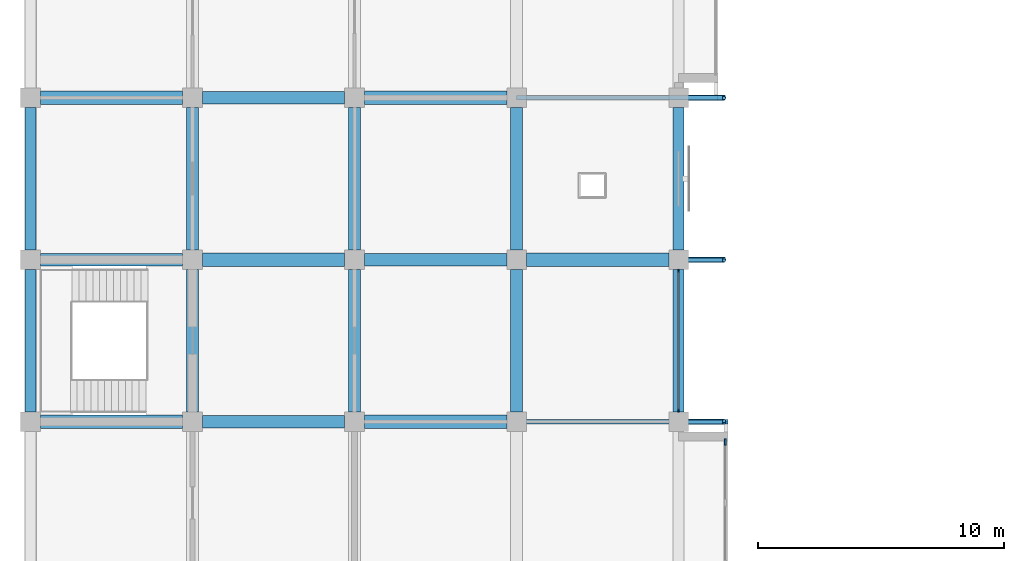
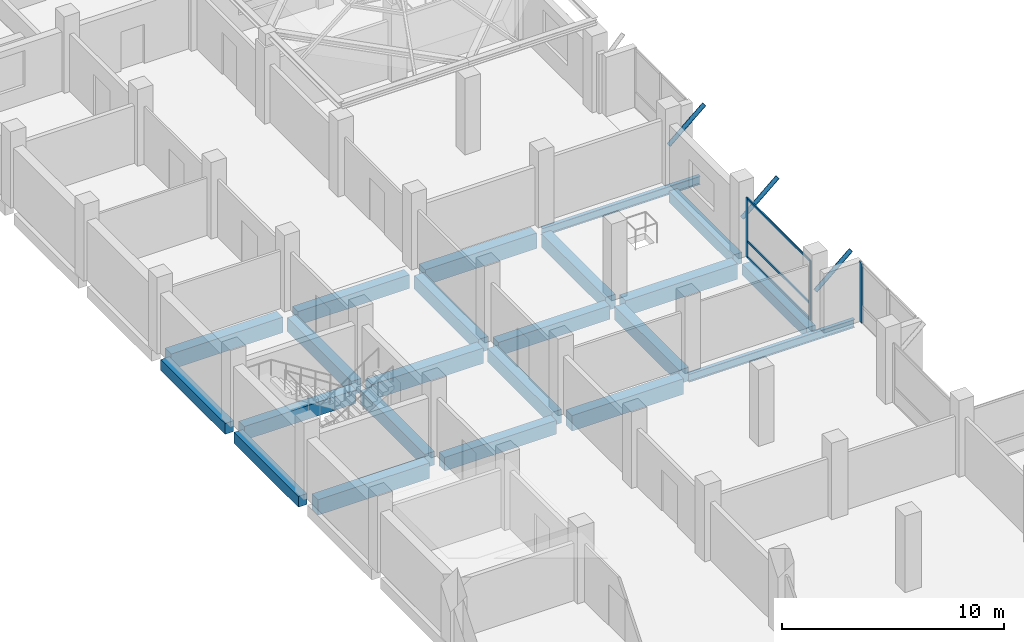
# One storey, part 9 of 25: 22 beams, 9 members, 2 elements without a shape of their own.
"""IFC4 building model written with IfcOpenShell, lengths in metres."""

from ifc_helpers import new_model, si_unit, direction, frame, origin, origin_2d, place, context, subcontext, project, spatial, rectangle, hollow_circle, i_section, extrude, material, material_profile, profile_set, type_object, element, aggregate, save


model = new_model("IFC4")

# Units and contexts
model_context = context("Model", 3, precision=1e-05, world=origin(), true_north=direction((0.0, 1.0)))
body_context = subcontext(model_context, "Body", "Model", "MODEL_VIEW")
ifc_project = project(units=[si_unit("LENGTHUNIT", "METRE"), si_unit("AREAUNIT", "SQUARE_METRE"), si_unit("VOLUMEUNIT", "CUBIC_METRE"), si_unit("PLANEANGLEUNIT", "RADIAN"), si_unit("MASSUNIT", "GRAM", prefix="KILO")], contexts=[model_context])

# Site, building, storey
site_placement = place(None, origin())
site = spatial("IfcSite", under=ifc_project, at=site_placement, CompositionType="ELEMENT")
building_placement = place(site_placement, origin())
building = spatial("IfcBuilding", under=site, at=building_placement, Name="Rusizi Kubbe Research Institute", CompositionType="ELEMENT")
storey_placement = place(building_placement, frame((0.0, 0.0, 14.39990234375)))
storey = spatial("IfcBuildingStorey", under=building, at=storey_placement, Name="L03", CompositionType="ELEMENT", Elevation=14.39990234375)

# Beams
ifc_material_1 = material(Name="Steel S355", Category="steel")
ifc_material_profile_1 = material_profile(ifc_material_1, i_section(OverallWidth=0.18994140625, OverallDepth=0.449951171875, WebThickness=0.009521484375, FlangeThickness=0.0146484375, at=origin_2d()), Name="IPE 450")
ifc_profile_set_1 = profile_set([ifc_material_profile_1], Name="Steel S355")
beam_type_1 = type_object("IfcBeamType", Name="BM-IPE450", PredefinedType="BEAM", material=ifc_profile_set_1)
beam_1_placement = place(storey_placement, frame((19.800048828125, 66.0, -0.574951171875), z_axis=(1.0, 0.0, 0.0), x_axis=(0.0, 1.0, 0.0)))
element("IfcBeam", 1, at=beam_1_placement, inside=storey, type_object=beam_type_1, Name="Cumba Back-Spanned Cantilever Beam L03-1N", PredefinedType="BEAM", context=body_context, shape_type="SweptSolid", body=[
    extrude(i_section(OverallWidth=0.18994140625, OverallDepth=0.449951171875, WebThickness=0.009521484375, FlangeThickness=0.0146484375, at=origin_2d()), origin(), (0.0, 0.0, 1.0), 8.599853515625),
])
beam_2_placement = place(storey_placement, frame((19.800048828125, 79.199951171875, -0.574951171875), z_axis=(1.0, 0.0, 0.0), x_axis=(0.0, 1.0, 0.0)))
element("IfcBeam", 2, at=beam_2_placement, inside=storey, type_object=beam_type_1, Name="Cumba Back-Spanned Cantilever Beam L03-2S", PredefinedType="BEAM", context=body_context, shape_type="SweptSolid", body=[
    extrude(i_section(OverallWidth=0.18994140625, OverallDepth=0.449951171875, WebThickness=0.009521484375, FlangeThickness=0.0146484375, at=origin_2d()), origin(), (0.0, 0.0, 1.0), 8.199951171875),
])
ifc_material_2 = material(Name="Concrete C40/50", Category="concrete")
ifc_material_profile_2 = material_profile(ifc_material_2, rectangle(XDim=0.449951171875, YDim=0.60009765625, at=origin_2d()), Name="RC450x600")
ifc_profile_set_2 = profile_set([ifc_material_profile_2], Name="Concrete C40/50")
beam_type_2 = type_object("IfcBeamType", Name="BM-RC450x600", PredefinedType="SPANDREL", material=ifc_profile_set_2)
for number, where, z_axis, x_axis, name in (
    (3, (0.0, 66.39990234375, -0.64990234375), (0.0, 1.0, 0.0), (-1.0, 0.0, 0.0), "Grid Beam V L03 (0,10)"),
    (4, (0.0, 73.0, -0.64990234375), (0.0, 1.0, 0.0), (-1.0, 0.0, 0.0), "Grid Beam V L03 (0,11)"),
    (5, (26.39990234375, 66.39990234375, -0.64990234375), (0.0, 1.0, 0.0), (-1.0, 0.0, 0.0), "Grid Beam V L03 (4,10)"),
    (6, (26.39990234375, 73.0, -0.64990234375), (0.0, 1.0, 0.0), (-1.0, 0.0, 0.0), "Grid Beam V L03 (4,11)"),
):
    element("IfcBeam", number, at=place(storey_placement, frame(where, z_axis=z_axis, x_axis=x_axis)), inside=storey, type_object=beam_type_2, Name=name, PredefinedType="SPANDREL", context=body_context, shape_type="SweptSolid", body=[
        extrude(rectangle(XDim=0.449951171875, YDim=0.60009765625, at=origin_2d()), origin(), (0.0, 0.0, 1.0), 5.800048828125),
    ])
ifc_material_3 = material(Name="Concrete C45/55", Category="concrete")
ifc_material_profile_3 = material_profile(ifc_material_3, rectangle(XDim=0.5, YDim=0.75, at=origin_2d()), Name="RC500x750B")
ifc_profile_set_3 = profile_set([ifc_material_profile_3], Name="Concrete C45/55")
beam_type_3 = type_object("IfcBeamType", Name="BM-RC500x750", PredefinedType="BEAM", material=ifc_profile_set_3)
for number, where, z_axis, x_axis, name in (
    (7, (0.39990234375, 72.60009765625, -0.724853515625), (1.0, 0.0, 0.0), (0.0, 1.0, 0.0), "Grid Beam H L03 (0,11)"),
    (8, (7.0, 66.0, -0.724853515625), (1.0, 0.0, 0.0), (0.0, 1.0, 0.0), "Grid Beam H L03 (1,10)"),
    (9, (7.0, 79.199951171875, -0.724853515625), (1.0, 0.0, 0.0), (0.0, 1.0, 0.0), "Grid Beam H L03 (1,12)"),
):
    element("IfcBeam", number, at=place(storey_placement, frame(where, z_axis=z_axis, x_axis=x_axis)), inside=storey, type_object=beam_type_3, Name=name, PredefinedType="BEAM", context=body_context, shape_type="SweptSolid", body=[
        extrude(rectangle(XDim=0.5, YDim=0.75, at=origin_2d()), origin(), (0.0, 0.0, 1.0), 5.800048828125),
    ])
beam_3_placement = place(storey_placement, frame((13.60009765625, 72.60009765625, -0.724853515625), z_axis=(1.0, 0.0, 0.0), x_axis=(0.0, 1.0, 0.0)))
element("IfcBeam", 10, at=beam_3_placement, inside=storey, type_object=beam_type_3, Name="Grid Beam H L03 (2,11)", PredefinedType="BEAM", context=body_context, shape_type="SweptSolid", body=[
    extrude(rectangle(XDim=0.5, YDim=0.75, at=origin_2d()), origin(), (0.0, 0.0, 1.0), 5.7998046875),
])
for number, where, z_axis, x_axis, name in (
    (11, (6.60009765625, 66.39990234375, -0.724853515625), (0.0, 1.0, 0.0), (-1.0, 0.0, 0.0), "Grid Beam V L03 (1,10)"),
    (12, (6.60009765625, 73.0, -0.724853515625), (0.0, 1.0, 0.0), (-1.0, 0.0, 0.0), "Grid Beam V L03 (1,11)"),
    (13, (13.199951171875, 66.39990234375, -0.724853515625), (0.0, 1.0, 0.0), (-1.0, 0.0, 0.0), "Grid Beam V L03 (2,10)"),
    (14, (13.199951171875, 73.0, -0.724853515625), (0.0, 1.0, 0.0), (-1.0, 0.0, 0.0), "Grid Beam V L03 (2,11)"),
    (15, (19.800048828125, 66.39990234375, -0.724853515625), (0.0, 1.0, 0.0), (-1.0, 0.0, 0.0), "Grid Beam V L03 (3,10)"),
    (16, (19.800048828125, 73.0, -0.724853515625), (0.0, 1.0, 0.0), (-1.0, 0.0, 0.0), "Grid Beam V L03 (3,11)"),
):
    element("IfcBeam", number, at=place(storey_placement, frame(where, z_axis=z_axis, x_axis=x_axis)), inside=storey, type_object=beam_type_3, Name=name, PredefinedType="BEAM", context=body_context, shape_type="SweptSolid", body=[
        extrude(rectangle(XDim=0.5, YDim=0.75, at=origin_2d()), origin(), (0.0, 0.0, 1.0), 5.800048828125),
    ])
ifc_material_4 = material(Name="Concrete C45/55", Category="concrete")
ifc_material_profile_4 = material_profile(ifc_material_4, rectangle(XDim=0.550048828125, YDim=0.85009765625, at=origin_2d()), Name="RC550x850")
ifc_profile_set_4 = profile_set([ifc_material_profile_4], Name="Concrete C45/55")
beam_type_4 = type_object("IfcBeamType", Name="BM-RC550x850", PredefinedType="BEAM", material=ifc_profile_set_4)
for number, where, z_axis, x_axis, name in (
    (17, (0.39990234375, 66.0, -0.77490234375), (1.0, 0.0, 0.0), (0.0, 1.0, 0.0), "Grid Beam H L03 (0,10)"),
    (18, (0.39990234375, 79.199951171875, -0.77490234375), (1.0, 0.0, 0.0), (0.0, 1.0, 0.0), "Grid Beam H L03 (0,12)"),
    (19, (7.0, 72.60009765625, -0.77490234375), (1.0, 0.0, 0.0), (0.0, 1.0, 0.0), "Grid Beam H L03 (1,11)"),
):
    element("IfcBeam", number, at=place(storey_placement, frame(where, z_axis=z_axis, x_axis=x_axis)), inside=storey, type_object=beam_type_4, Name=name, PredefinedType="BEAM", context=body_context, shape_type="SweptSolid", body=[
        extrude(rectangle(XDim=0.550048828125, YDim=0.85009765625, at=origin_2d()), origin(), (0.0, 0.0, 1.0), 5.800048828125),
    ])
for number, where, z_axis, x_axis, name in (
    (20, (13.60009765625, 66.0, -0.77490234375), (1.0, 0.0, 0.0), (0.0, 1.0, 0.0), "Grid Beam H L03 (2,10)"),
    (21, (13.60009765625, 79.199951171875, -0.77490234375), (1.0, 0.0, 0.0), (0.0, 1.0, 0.0), "Grid Beam H L03 (2,12)"),
):
    element("IfcBeam", number, at=place(storey_placement, frame(where, z_axis=z_axis, x_axis=x_axis)), inside=storey, type_object=beam_type_4, Name=name, PredefinedType="BEAM", context=body_context, shape_type="SweptSolid", body=[
        extrude(rectangle(XDim=0.550048828125, YDim=0.85009765625, at=origin_2d()), origin(), (0.0, 0.0, 1.0), 5.7998046875),
    ])
beam_4_placement = place(storey_placement, frame((20.199951171875, 72.60009765625, -0.77490234375), z_axis=(1.0, 0.0, 0.0), x_axis=(0.0, 1.0, 0.0)))
element("IfcBeam", 22, at=beam_4_placement, inside=storey, type_object=beam_type_4, Name="Grid Beam H L03 (3,11)", PredefinedType="BEAM", context=body_context, shape_type="SweptSolid", body=[
    extrude(rectangle(XDim=0.550048828125, YDim=0.85009765625, at=origin_2d()), origin(), (0.0, 0.0, 1.0), 5.800048828125),
])

# Members
ifc_material_5 = material(Name="Steel S355", Category="steel")
ifc_material_profile_5 = material_profile(ifc_material_5, hollow_circle(Radius=0.109619140625, WallThickness=0.008056640625, at=origin_2d()), Name="CHS 219.1x8.0")
ifc_profile_set_5 = profile_set([ifc_material_profile_5], Name="Steel S355")
member_type_1 = type_object("IfcMemberType", Name="MB-CHS219", PredefinedType="BRACE", material=ifc_profile_set_5)
for number, where, z_axis, x_axis, name in (
    (23, (26.39990234375, 66.0, 1.860107421875), (0.756360503059, 0.0, 0.654155019405), (0.0, 1.0, 0.0), "Cumba Diagonal Corbel Brace L04-1N"),
    (24, (26.39990234375, 72.60009765625, 1.860107421875), (0.756360503059, 0.0, 0.654155019405), (0.0, 1.0, 0.0), "Cumba Diagonal Corbel Brace L04-2S"),
    (25, (26.39990234375, 79.199951171875, 1.860107421875), (0.756360503059, 0.0, 0.654155019405), (0.0, 1.0, 0.0), "Cumba Diagonal Corbel Brace L04-2N"),
):
    element("IfcMember", number, at=place(storey_placement, frame(where, z_axis=z_axis, x_axis=x_axis)), inside=storey, type_object=member_type_1, Name=name, PredefinedType="BRACE", context=body_context, shape_type="SweptSolid", body=[
        extrude(hollow_circle(Radius=0.109619140625, WallThickness=0.008056640625, at=origin_2d()), origin(), (0.0, 0.0, 1.0), 2.446044921875),
    ])

# Curtain wall, members
ifc_material_6 = material(Name="Thermally Broken Aluminium and Low-E Glazing", Category="aluminium")
curtain_wall_type_1 = type_object("IfcCurtainWallType", Name="CW-06", PredefinedType="NOTDEFINED", material=ifc_material_6)
curtain_wall_1_placement = place(storey_placement, origin())
curtain_wall_1 = element("IfcCurtainWall", 26, at=curtain_wall_1_placement, inside=storey, type_object=curtain_wall_type_1, Name="Unitised Facade Curtain Wall CW-L03-V-04-10", PredefinedType="NOTDEFINED")
ifc_material_7 = material(Name="Aluminium Alloy 6063-T6", Category="aluminium")
ifc_material_profile_6 = material_profile(ifc_material_7, rectangle(XDim=0.06005859375, YDim=0.14990234375, at=origin_2d()), Name="ALU-M 60x150")
ifc_profile_set_6 = profile_set([ifc_material_profile_6], Name="Aluminium Alloy 6063-T6")
member_type_2 = type_object("IfcMemberType", Name="ML-01", PredefinedType="MULLION", material=ifc_profile_set_6)
member_1_placement = place(storey_placement, frame((26.39990234375, 66.4599609375, 0.0), z_axis=(0.0, 0.0, 1.0), x_axis=(-1.0, 0.0, 0.0)))
member_1 = element("IfcMember", 27, at=member_1_placement, type_object=member_type_2, Name="CW-06 mullion 1", PredefinedType="MULLION", context=body_context, shape_type="SweptSolid", body=[
    extrude(rectangle(XDim=0.06005859375, YDim=0.14990234375, at=origin_2d()), origin(), (0.0, 0.0, 1.0), 3.260009765625),
])
member_2_placement = place(storey_placement, frame((26.39990234375, 72.139892578125, 0.0), z_axis=(0.0, 0.0, 1.0), x_axis=(-1.0, 0.0, 0.0)))
member_2 = element("IfcMember", 28, at=member_2_placement, type_object=member_type_2, Name="CW-06 mullion 2", PredefinedType="MULLION", context=body_context, shape_type="SweptSolid", body=[
    extrude(rectangle(XDim=0.06005859375, YDim=0.14990234375, at=origin_2d()), origin(), (0.0, 0.0, 1.0), 3.260009765625),
])

# Curtain wall, member
ifc_material_8 = material(Name="Thermally Broken Aluminium and Low-E Glazing", Category="aluminium")
curtain_wall_type_2 = type_object("IfcCurtainWallType", Name="CW-01", PredefinedType="NOTDEFINED", material=ifc_material_8)
curtain_wall_2_placement = place(storey_placement, origin())
curtain_wall_2 = element("IfcCurtainWall", 29, at=curtain_wall_2_placement, inside=storey, type_object=curtain_wall_type_2, Name="Cumba Glazed Curtain Wall CW-CUMBA-L03-035", PredefinedType="NOTDEFINED")
ifc_material_9 = material(Name="Aluminium Alloy 6063-T6", Category="aluminium")
ifc_material_profile_7 = material_profile(ifc_material_9, rectangle(XDim=0.080078125, YDim=0.280029296875, at=origin_2d()), Name="ALU-M 80x280")
ifc_profile_set_7 = profile_set([ifc_material_profile_7], Name="Aluminium Alloy 6063-T6")
member_type_3 = type_object("IfcMemberType", Name="ML-06", PredefinedType="MULLION", material=ifc_profile_set_7)
member_3_placement = place(storey_placement, frame((28.300048828125, 65.177490234375, 0.0), z_axis=(0.0, 0.0, 1.0), x_axis=(-1.0, 0.0, 0.0)))
member_3 = element("IfcMember", 30, at=member_3_placement, type_object=member_type_3, Name="CW-01 mullion 3", PredefinedType="MULLION", context=body_context, shape_type="SweptSolid", body=[
    extrude(rectangle(XDim=0.080078125, YDim=0.280029296875, at=origin_2d()), origin(), (0.0, 0.0, 1.0), 3.260009765625),
])
aggregate(curtain_wall_2, [member_3])

# Member
ifc_material_10 = material(Name="Aluminium Alloy 6063-T6", Category="aluminium")
ifc_material_profile_8 = material_profile(ifc_material_10, rectangle(XDim=0.06005859375, YDim=0.1201171875, at=origin_2d()), Name="ALU-T 60x120")
ifc_profile_set_8 = profile_set([ifc_material_profile_8], Name="Aluminium Alloy 6063-T6")
member_type_4 = type_object("IfcMemberType", Name="TR-01", PredefinedType="USERDEFINED", material=ifc_profile_set_8)
member_4_placement = place(storey_placement, frame((26.39990234375, 66.489990234375, 0.030029296875), z_axis=(0.0, 1.0, 0.0), x_axis=(-1.0, 0.0, 0.0)))
member_4 = element("IfcMember", 31, at=member_4_placement, type_object=member_type_4, Name="CW-06 transom 1.1", ObjectType="TRANSOM", PredefinedType="USERDEFINED", context=body_context, shape_type="SweptSolid", body=[
    extrude(rectangle(XDim=0.06005859375, YDim=0.1201171875, at=origin_2d()), origin(), (0.0, 0.0, 1.0), 5.6201171875),
])

member_5_placement = place(storey_placement, frame((26.39990234375, 66.489990234375, 0.900146484375), z_axis=(0.0, 1.0, 0.0), x_axis=(-1.0, 0.0, 0.0)))
member_5 = element("IfcMember", 32, at=member_5_placement, type_object=member_type_4, Name="CW-06 transom 1.2", ObjectType="TRANSOM", PredefinedType="USERDEFINED", context=body_context, shape_type="SweptSolid", body=[
    extrude(rectangle(XDim=0.06005859375, YDim=0.1201171875, at=origin_2d()), origin(), (0.0, 0.0, 1.0), 5.6201171875),
])

member_6_placement = place(storey_placement, frame((26.39990234375, 66.489990234375, 3.22998046875), z_axis=(0.0, 1.0, 0.0), x_axis=(-1.0, 0.0, 0.0)))
member_6 = element("IfcMember", 33, at=member_6_placement, type_object=member_type_4, Name="CW-06 transom 1.3", ObjectType="TRANSOM", PredefinedType="USERDEFINED", context=body_context, shape_type="SweptSolid", body=[
    extrude(rectangle(XDim=0.06005859375, YDim=0.1201171875, at=origin_2d()), origin(), (0.0, 0.0, 1.0), 5.6201171875),
])

aggregate(curtain_wall_1, [member_1, member_2, member_4, member_5, member_6])

save(model, "model.ifc")
